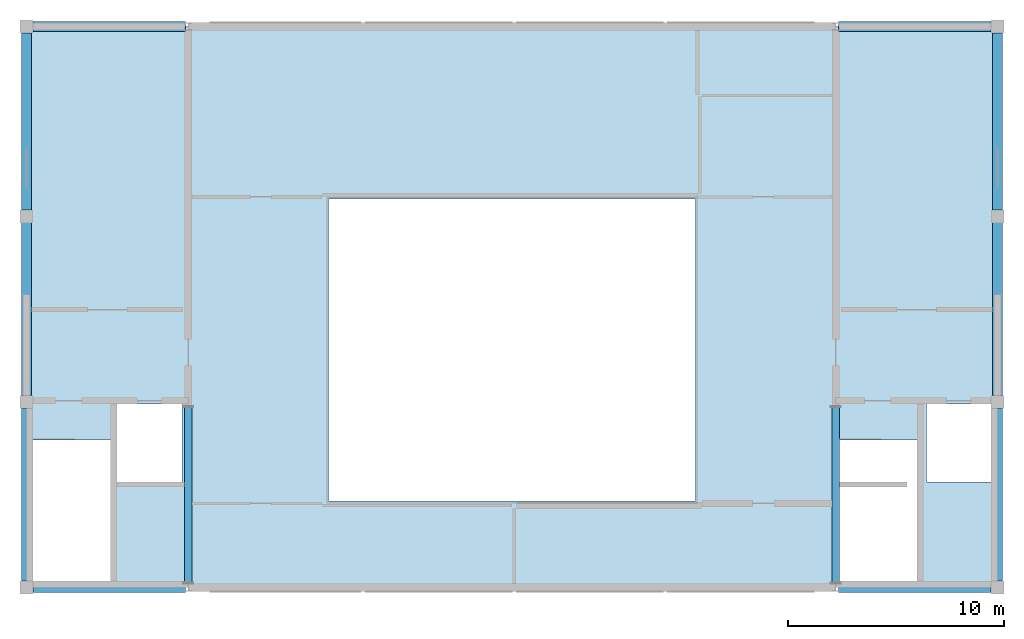
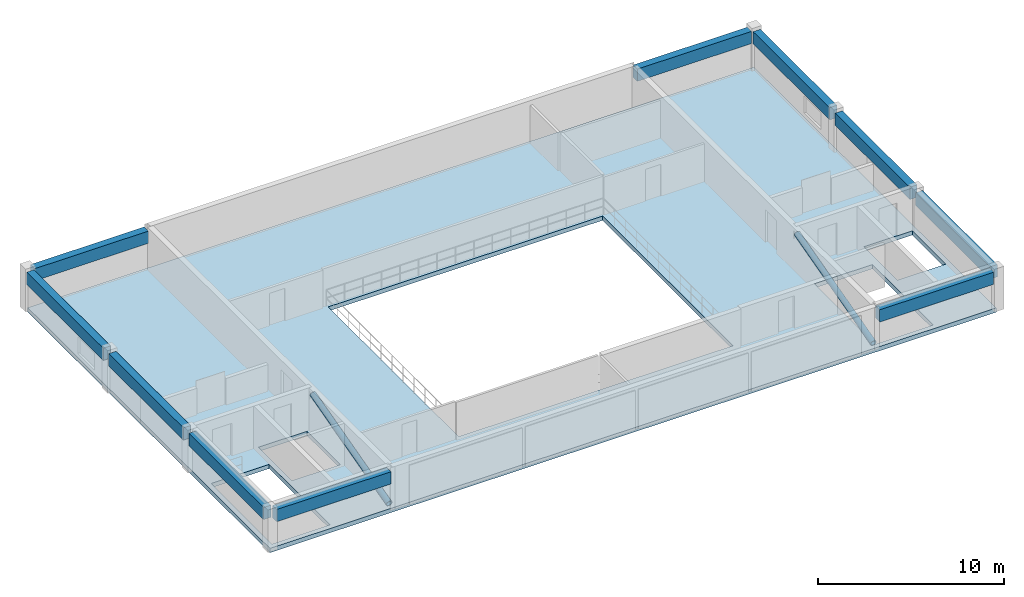
# One storey, part 3 of 6: 10 beams, 2 members, 1 slab.
"""IFC4 building model written with IfcOpenShell, lengths in metres."""

import ifcopenshell
import ifcopenshell.guid

model = None  # the IFC model being written
_history = None  # IfcOwnerHistory: only IFC2X3 demands one
_inside = {}  # id of a spatial element -> (the spatial element, [elements in it])
_under = {}  # id of a project, library or spatial element -> (it, [spatial elements below it])
_declared = {}  # id of a project -> (the project, [libraries it declares])
_typed = {}  # id of a type object -> (the type object, [elements of that type])
_made_of = {}  # id of a material, layer set ... -> (it, [elements and type objects made of it])


def new_model(schema):
    """Start an empty IFC model of exactly this schema.

    Asked for "IFC4X3", IfcOpenShell would pick the latest addendum, in which some entities
    have other attributes; the version numbers below select the first issue.
    IFC2X3 requires an IfcOwnerHistory on every rooted entity: one is made here for all.
    """
    global model, _history
    if schema == "IFC4X3":
        model = ifcopenshell.file(schema_version=(4, 3, 0, 0))
    else:
        model = ifcopenshell.file(schema=schema)
    _inside.clear()
    _under.clear()
    _declared.clear()
    _typed.clear()
    _made_of.clear()
    _history = None
    if model.schema == "IFC2X3":
        org = make("IfcOrganization", Name="unknown")
        user = make(
            "IfcPersonAndOrganization",
            ThePerson=make("IfcPerson", FamilyName="unknown"),
            TheOrganization=org,
        )
        app = make(
            "IfcApplication",
            ApplicationDeveloper=org,
            Version="unknown",
            ApplicationFullName="unknown",
            ApplicationIdentifier="unknown",
        )
        _history = make(
            "IfcOwnerHistory",
            OwningUser=user,
            OwningApplication=app,
            ChangeAction="ADDED",
            CreationDate=0,
        )
    return model


def make(cls, **values):
    """One entity of the class cls with the attributes given. An attribute that is None is left unset."""
    return model.create_entity(
        cls, **{name: value for name, value in values.items() if value is not None}
    )


def rooted(cls, **values):
    """An entity with a GlobalId (a new one), such as an element, a storey or a relation."""
    return make(cls, GlobalId=ifcopenshell.guid.new(), OwnerHistory=_history, **values)


def si_unit(unit_type, name, prefix=None):
    """IfcSIUnit, for example si_unit("LENGTHUNIT", "METRE", prefix="MILLI")."""
    return make("IfcSIUnit", UnitType=unit_type, Prefix=prefix, Name=name)


def assignment(units):
    """IfcUnitAssignment: the units of a project."""
    return None if units is None else make("IfcUnitAssignment", Units=units)


def point(xyz):
    """IfcCartesianPoint."""
    return None if xyz is None else make("IfcCartesianPoint", Coordinates=xyz)


def direction(xyz):
    """IfcDirection."""
    return None if xyz is None else make("IfcDirection", DirectionRatios=xyz)


def frame(location, z_axis=None, x_axis=None):
    """IfcAxis2Placement3D, a coordinate frame: its origin and axes. An axis left out is left unset."""
    return make(
        "IfcAxis2Placement3D",
        Location=point(location),
        Axis=direction(z_axis),
        RefDirection=direction(x_axis),
    )


def frame_2d(location, x_axis=None):
    """IfcAxis2Placement2D, a coordinate frame in the plane: its origin and x axis."""
    return make(
        "IfcAxis2Placement2D", Location=point(location), RefDirection=direction(x_axis)
    )


def origin():
    """The frame at (0, 0, 0) with its axes left unset."""
    return frame((0.0, 0.0, 0.0))


def origin_2d():
    """The frame at (0, 0) in the plane with its x axis left unset."""
    return frame_2d((0.0, 0.0))


def place(relative_to, where):
    """IfcLocalPlacement: puts the frame where relative to a parent placement (None: the world)."""
    return make(
        "IfcLocalPlacement", PlacementRelTo=relative_to, RelativePlacement=where
    )


def context(
    kind, dimensions, precision=None, world=None, true_north=None, identifier=None
):
    """IfcGeometricRepresentationContext, for example the 3D "Model" context."""
    return make(
        "IfcGeometricRepresentationContext",
        ContextIdentifier=identifier,
        ContextType=kind,
        CoordinateSpaceDimension=dimensions,
        Precision=precision,
        WorldCoordinateSystem=world,
        TrueNorth=true_north,
    )


def subcontext(parent, identifier, kind, view, scale=None):
    """IfcGeometricRepresentationSubContext, for example "Body" below "Model"."""
    return make(
        "IfcGeometricRepresentationSubContext",
        ContextIdentifier=identifier,
        ContextType=kind,
        ParentContext=parent,
        TargetScale=scale,
        TargetView=view,
    )


def project(units=None, contexts=None):
    """IfcProject with its units and contexts."""
    return rooted(
        "IfcProject",
        Name="project",
        RepresentationContexts=contexts,
        UnitsInContext=assignment(units),
    )


def spatial(cls, under=None, at=None, **own):
    """A site, building, storey or space (cls), placed at a placement, below another one or the project."""
    s = rooted(cls, ObjectPlacement=at, **own)
    if under is not None:
        _under.setdefault(under.id(), (under, []))[1].append(s)
    return s


def polyline(points):
    """IfcPolyline through the points."""
    return make("IfcPolyline", Points=[point(p) for p in points])


def profile(cls, at=None, kind="AREA", **sizes):
    """A parametric profile (cls). Its sizes go by their IFC names, for example OverallWidth=200.0."""
    return make(cls, ProfileType=kind, Position=at, **sizes)


def rectangle(**sizes):
    """IfcRectangleProfileDef."""
    return profile("IfcRectangleProfileDef", **sizes)


def hollow_circle(**sizes):
    """IfcCircleHollowProfileDef."""
    return profile("IfcCircleHollowProfileDef", **sizes)


def outline(outer, holes=None, kind="AREA"):
    """IfcArbitraryClosedProfileDef: a profile drawn as a closed curve; with holes, ...WithVoids."""
    if holes is None:
        return make("IfcArbitraryClosedProfileDef", ProfileType=kind, OuterCurve=outer)
    return make(
        "IfcArbitraryProfileDefWithVoids",
        ProfileType=kind,
        OuterCurve=outer,
        InnerCurves=holes,
    )


def extrude(swept, where, along, depth):
    """IfcExtrudedAreaSolid: the profile swept, set in the frame where, extruded along a direction by depth."""
    return make(
        "IfcExtrudedAreaSolid",
        SweptArea=swept,
        Position=where,
        ExtrudedDirection=direction(along),
        Depth=depth,
    )


def shape(context_of_items, identifier, shape_type, items):
    """IfcShapeRepresentation: the items that make up one representation, for example the "Body"."""
    return make(
        "IfcShapeRepresentation",
        ContextOfItems=context_of_items,
        RepresentationIdentifier=identifier,
        RepresentationType=shape_type,
        Items=items,
    )


def material(Name=None, Category=None):
    """IfcMaterial."""
    return make("IfcMaterial", Name=Name, Category=Category)


def layer(
    of_material, thickness, ventilated=None, Name=None, Category=None, Priority=None
):
    """IfcMaterialLayer: one layer of a wall or slab, of a material (None: an air gap)."""
    return make(
        "IfcMaterialLayer",
        Material=of_material,
        LayerThickness=thickness,
        IsVentilated=ventilated,
        Name=Name,
        Category=Category,
        Priority=Priority,
    )


def layer_set(layers, Name=None):
    """IfcMaterialLayerSet."""
    return make("IfcMaterialLayerSet", MaterialLayers=layers, LayerSetName=Name)


def material_profile(
    of_material, cross_section, Name=None, Category=None, Priority=None
):
    """IfcMaterialProfile: a cross section and its material."""
    return make(
        "IfcMaterialProfile",
        Name=Name,
        Material=of_material,
        Profile=cross_section,
        Priority=Priority,
        Category=Category,
    )


def profile_set(profiles, Name=None, composite=None):
    """IfcMaterialProfileSet."""
    return make(
        "IfcMaterialProfileSet",
        Name=Name,
        MaterialProfiles=profiles,
        CompositeProfile=composite,
    )


def made_of(thing, what):
    """Note that an element or type object is made of a material, layer set ...; save() writes the relation."""
    if what is not None:
        _made_of.setdefault(what.id(), (what, []))[1].append(thing)
    return thing


def type_object(cls, material=None, **own):
    """A type object (cls), such as IfcWallType, which elements share."""
    return made_of(rooted(cls, **own), material)


def element(
    cls,
    number,
    at=None,
    inside=None,
    cuts=None,
    type_object=None,
    material=None,
    context=None,
    identifier="Body",
    shape_type=None,
    held_by="IfcProductDefinitionShape",
    body=None,
    shapes=None,
    **own,
):
    """One element of the class cls, such as IfcWall. Its Tag is "e" and its number.

    at: its placement. inside: the storey or other place that contains it. cuts: it is an
    opening in that element (IfcRelVoidsElement). A single representation is given by context,
    identifier, shape_type and body (its items); several are given by shapes. held_by: the class
    of the entity that holds the representations. save() writes the other relations.
    """
    e = rooted(cls, Tag="e%d" % number, ObjectPlacement=at, **own)
    if body is not None:
        shapes = [shape(context, identifier, shape_type, body)]
    if shapes is not None:
        e.Representation = make(held_by, Representations=shapes)
    if inside is not None:
        _inside.setdefault(inside.id(), (inside, []))[1].append(e)
    if cuts is not None:
        rooted(
            "IfcRelVoidsElement", RelatingBuildingElement=cuts, RelatedOpeningElement=e
        )
    if type_object is not None:
        _typed.setdefault(type_object.id(), (type_object, []))[1].append(e)
    return made_of(e, material)


def aggregate(whole, parts):
    """IfcRelAggregates: a whole, such as a stair, and the parts it consists of."""
    return rooted("IfcRelAggregates", RelatingObject=whole, RelatedObjects=parts)


def save(model, path):
    """Write the relations noted so far, then the file.

    IfcRelAggregates (storeys below a building ...), IfcRelContainedInSpatialStructure (elements
    in a storey), IfcRelDefinesByType, IfcRelAssociatesMaterial and IfcRelDeclares: one each for
    every whole, place, type object, material and project.
    """
    for whole, parts in _under.values():
        aggregate(whole, parts)
    for where, things in _inside.values():
        rooted(
            "IfcRelContainedInSpatialStructure",
            RelatedElements=things,
            RelatingStructure=where,
        )
    for kind, things in _typed.values():
        rooted("IfcRelDefinesByType", RelatedObjects=things, RelatingType=kind)
    for what, things in _made_of.values():
        rooted("IfcRelAssociatesMaterial", RelatedObjects=things, RelatingMaterial=what)
    for by, libraries in _declared.values():
        rooted("IfcRelDeclares", RelatingContext=by, RelatedDefinitions=libraries)
    model.write(path)


model = new_model("IFC4")

# Units and contexts
model_context = context("Model", 3, precision=1e-05, world=origin(), true_north=direction((0.0, 1.0)))
body_context = subcontext(model_context, "Body", "Model", "MODEL_VIEW")
ifc_project = project(units=[si_unit("LENGTHUNIT", "METRE"), si_unit("AREAUNIT", "SQUARE_METRE"), si_unit("VOLUMEUNIT", "CUBIC_METRE"), si_unit("PLANEANGLEUNIT", "RADIAN"), si_unit("MASSUNIT", "GRAM", prefix="KILO")], contexts=[model_context])

# Site, building, storey
site_placement = place(None, origin())
site = spatial("IfcSite", under=ifc_project, at=site_placement, CompositionType="ELEMENT")
building_placement = place(site_placement, origin())
building = spatial("IfcBuilding", under=site, at=building_placement, Name="Muzn Square Opera House", CompositionType="ELEMENT")
storey_placement = place(building_placement, frame((0.0, 0.0, 28.199951171875)))
storey = spatial("IfcBuildingStorey", under=building, at=storey_placement, Name="L06", CompositionType="ELEMENT", Elevation=28.199951171875)

# Members
ifc_material_1 = material(Name="Steel S355", Category="steel")
ifc_material_profile_1 = material_profile(ifc_material_1, hollow_circle(Radius=0.177734375, WallThickness=0.02001953125, at=origin_2d()), Name="CHS 355.6x20", Category="steel")
ifc_profile_set_1 = profile_set([ifc_material_profile_1], Name="Steel S355")
member_type = type_object("IfcMemberType", Name="Heavy Corner Strut CHS356", PredefinedType="STRUT", material=ifc_profile_set_1)
for number, where, z_axis, x_axis, name in (
    (1, (73.0, 72.800048828125, 0.199951171875), (0.0, 0.965677787545, 0.259742970343), (-1.0, 0.0, 0.0), "Lateral Frame Brace SBRC-05"),
    (2, (103.0, 72.800048828125, 0.199951171875), (0.0, 0.965677787545, 0.259742970343), (-1.0, 0.0, 0.0), "Lateral Frame Brace SBRC-06"),
):
    element("IfcMember", number, at=place(storey_placement, frame(where, z_axis=z_axis, x_axis=x_axis)), inside=storey, type_object=member_type, Name=name, PredefinedType="STRUT", context=body_context, shape_type="SweptSolid", body=[
        extrude(hollow_circle(Radius=0.177734375, WallThickness=0.02001953125, at=origin_2d()), origin(), (0.0, 0.0, 1.0), 8.470703125),
    ])

# Beams
ifc_material_2 = material(Name="Concrete C40/50", Category="concrete")
ifc_material_profile_2 = material_profile(ifc_material_2, rectangle(XDim=0.449951171875, YDim=0.800048828125, at=origin_2d()), Name="RCB 450x800", Category="concrete")
ifc_profile_set_2 = profile_set([ifc_material_profile_2], Name="Concrete C40/50")
beam_type = type_object("IfcBeamType", Name="Primary Girder 450x800", PredefinedType="BEAM", material=ifc_profile_set_2)
for number, where, z_axis, x_axis, name in (
    (3, (65.7919921875, 72.60009765625, 2.179931640625), (1.0, 0.0, 0.0), (0.0, 1.0, 0.0), "Primary Girder BM-L06-BM-PG800-658_726_729_726-2758"),
    (4, (103.14208984375, 72.60009765625, 2.179931640625), (1.0, 0.0, 0.0), (0.0, 1.0, 0.0), "Primary Girder BM-L06-BM-PG800-1031_726_1102_726-2759"),
    (5, (65.7919921875, 98.60009765625, 2.179931640625), (1.0, 0.0, 0.0), (0.0, 1.0, 0.0), "Primary Girder BM-L06-BM-PG800-658_986_729_986-2760"),
    (6, (103.14208984375, 98.60009765625, 2.179931640625), (1.0, 0.0, 0.0), (0.0, 1.0, 0.0), "Primary Girder BM-L06-BM-PG800-1031_986_1102_986-2761"),
):
    element("IfcBeam", number, at=place(storey_placement, frame(where, z_axis=z_axis, x_axis=x_axis)), inside=storey, type_object=beam_type, Name=name, PredefinedType="BEAM", context=body_context, shape_type="SweptSolid", body=[
        extrude(rectangle(XDim=0.449951171875, YDim=0.800048828125, at=origin_2d()), origin(), (0.0, 0.0, 1.0), 7.06591796875),
    ])
beam_1_placement = place(storey_placement, frame((65.5, 72.89208984375, 2.179931640625), z_axis=(0.0, 1.0, 0.0), x_axis=(-1.0, 0.0, 0.0)))
element("IfcBeam", 7, at=beam_1_placement, inside=storey, type_object=beam_type, Name="Primary Girder BM-L06-BM-PG800-655_729_655_809-2762", PredefinedType="BEAM", context=body_context, shape_type="SweptSolid", body=[
    extrude(rectangle(XDim=0.449951171875, YDim=0.800048828125, at=origin_2d()), origin(), (0.0, 0.0, 1.0), 8.015869140625),
])
beam_2_placement = place(storey_placement, frame((65.5, 81.491943359375, 2.179931640625), z_axis=(0.0, 1.0, 0.0), x_axis=(-1.0, 0.0, 0.0)))
element("IfcBeam", 8, at=beam_2_placement, inside=storey, type_object=beam_type, Name="Primary Girder BM-L06-BM-PG800-655_815_655_895-2763", PredefinedType="BEAM", context=body_context, shape_type="SweptSolid", body=[
    extrude(rectangle(XDim=0.449951171875, YDim=0.800048828125, at=origin_2d()), origin(), (0.0, 0.0, 1.0), 8.01611328125),
])
beam_3_placement = place(storey_placement, frame((65.5, 90.092041015625, 2.179931640625), z_axis=(0.0, 1.0, 0.0), x_axis=(-1.0, 0.0, 0.0)))
element("IfcBeam", 9, at=beam_3_placement, inside=storey, type_object=beam_type, Name="Primary Girder BM-L06-BM-PG800-655_901_655_983-2764", PredefinedType="BEAM", context=body_context, shape_type="SweptSolid", body=[
    extrude(rectangle(XDim=0.449951171875, YDim=0.800048828125, at=origin_2d()), origin(), (0.0, 0.0, 1.0), 8.216064453125),
])
beam_4_placement = place(storey_placement, frame((110.5, 72.89208984375, 2.179931640625), z_axis=(0.0, 1.0, 0.0), x_axis=(-1.0, 0.0, 0.0)))
element("IfcBeam", 10, at=beam_4_placement, inside=storey, type_object=beam_type, Name="Primary Girder BM-L06-BM-PG800-1105_729_1105_809-2765", PredefinedType="BEAM", context=body_context, shape_type="SweptSolid", body=[
    extrude(rectangle(XDim=0.449951171875, YDim=0.800048828125, at=origin_2d()), origin(), (0.0, 0.0, 1.0), 8.015869140625),
])
beam_5_placement = place(storey_placement, frame((110.5, 81.491943359375, 2.179931640625), z_axis=(0.0, 1.0, 0.0), x_axis=(-1.0, 0.0, 0.0)))
element("IfcBeam", 11, at=beam_5_placement, inside=storey, type_object=beam_type, Name="Primary Girder BM-L06-BM-PG800-1105_815_1105_895-2766", PredefinedType="BEAM", context=body_context, shape_type="SweptSolid", body=[
    extrude(rectangle(XDim=0.449951171875, YDim=0.800048828125, at=origin_2d()), origin(), (0.0, 0.0, 1.0), 8.01611328125),
])
beam_6_placement = place(storey_placement, frame((110.5, 90.092041015625, 2.179931640625), z_axis=(0.0, 1.0, 0.0), x_axis=(-1.0, 0.0, 0.0)))
element("IfcBeam", 12, at=beam_6_placement, inside=storey, type_object=beam_type, Name="Primary Girder BM-L06-BM-PG800-1105_901_1105_983-2767", PredefinedType="BEAM", context=body_context, shape_type="SweptSolid", body=[
    extrude(rectangle(XDim=0.449951171875, YDim=0.800048828125, at=origin_2d()), origin(), (0.0, 0.0, 1.0), 8.216064453125),
])

# Slab
ifc_layer = layer(ifc_material_2, 0.280029296875, Name="Concrete C40/50", Category="concrete")
ifc_layer_set = layer_set([ifc_layer], Name="Concrete C40/50")
slab_type = type_object("IfcSlabType", Name="Floor Slab 280mm", PredefinedType="FLOOR", material=ifc_layer_set)
slab_placement = place(storey_placement, frame((0.0, 0.0, -0.280029296875)))
element("IfcSlab", 13, at=slab_placement, inside=storey, type_object=slab_type, Name="Floor Slab SLB-L06-FLY", PredefinedType="FLOOR", context=body_context, shape_type="SweptSolid", body=[
    extrude(outline(polyline([(65.5, 72.60009765625), (110.5, 72.60009765625), (110.5, 98.60009765625), (65.5, 98.60009765625), (65.5, 72.60009765625)]), holes=[polyline([(79.5, 76.60009765625), (96.5, 76.60009765625), (96.5, 90.60009765625), (79.5, 90.60009765625), (79.5, 76.60009765625)]), polyline([(65.800048828125, 72.89990234375), (69.39990234375, 72.89990234375), (69.39990234375, 79.431884765625), (65.800048828125, 79.431884765625), (65.800048828125, 72.89990234375)]), polyline([(69.699951171875, 77.5), (72.699951171875, 77.5), (72.699951171875, 81.10009765625), (69.699951171875, 81.10009765625), (69.699951171875, 77.5)]), polyline([(103.169921875, 72.89990234375), (106.77001953125, 72.89990234375), (106.77001953125, 79.431884765625), (103.169921875, 79.431884765625), (103.169921875, 72.89990234375)]), polyline([(107.199951171875, 77.5), (110.199951171875, 77.5), (110.199951171875, 81.10009765625), (107.199951171875, 81.10009765625), (107.199951171875, 77.5)])]), origin(), (0.0, 0.0, 1.0), 0.280029296875),
])

save(model, "model.ifc")
